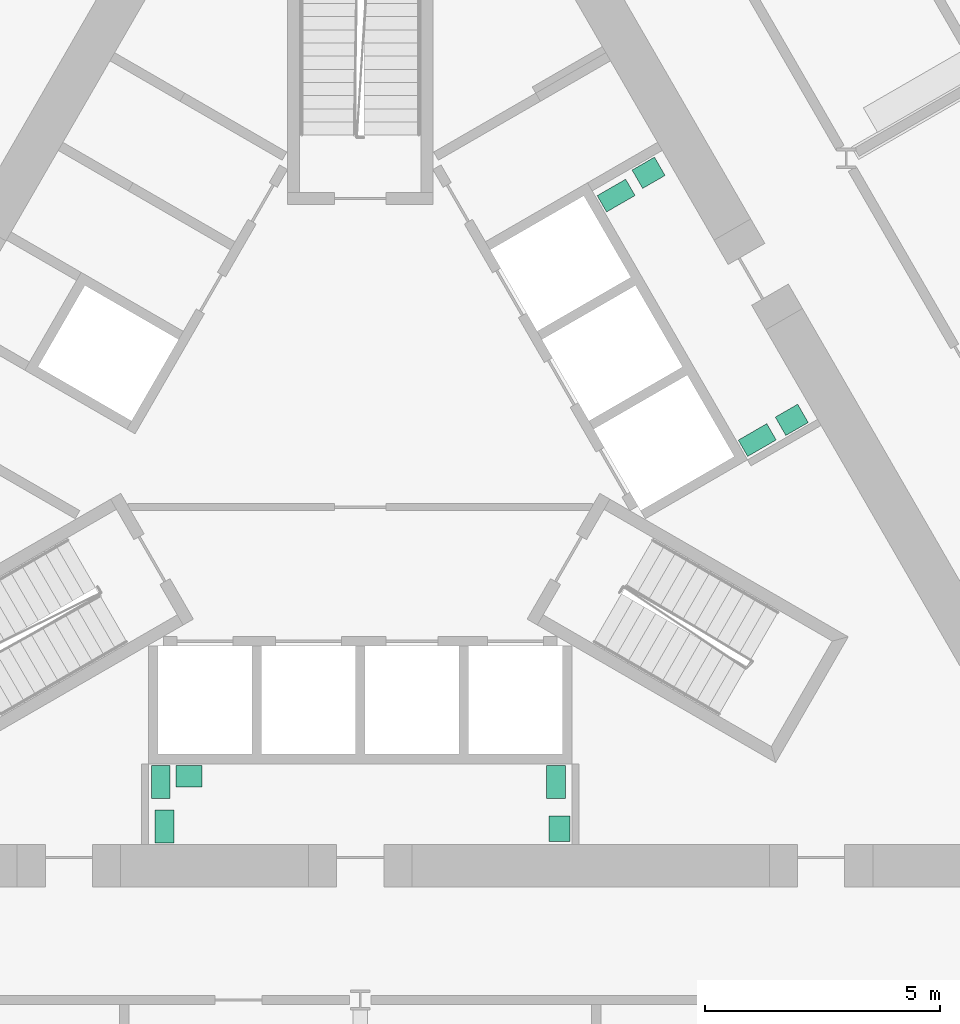
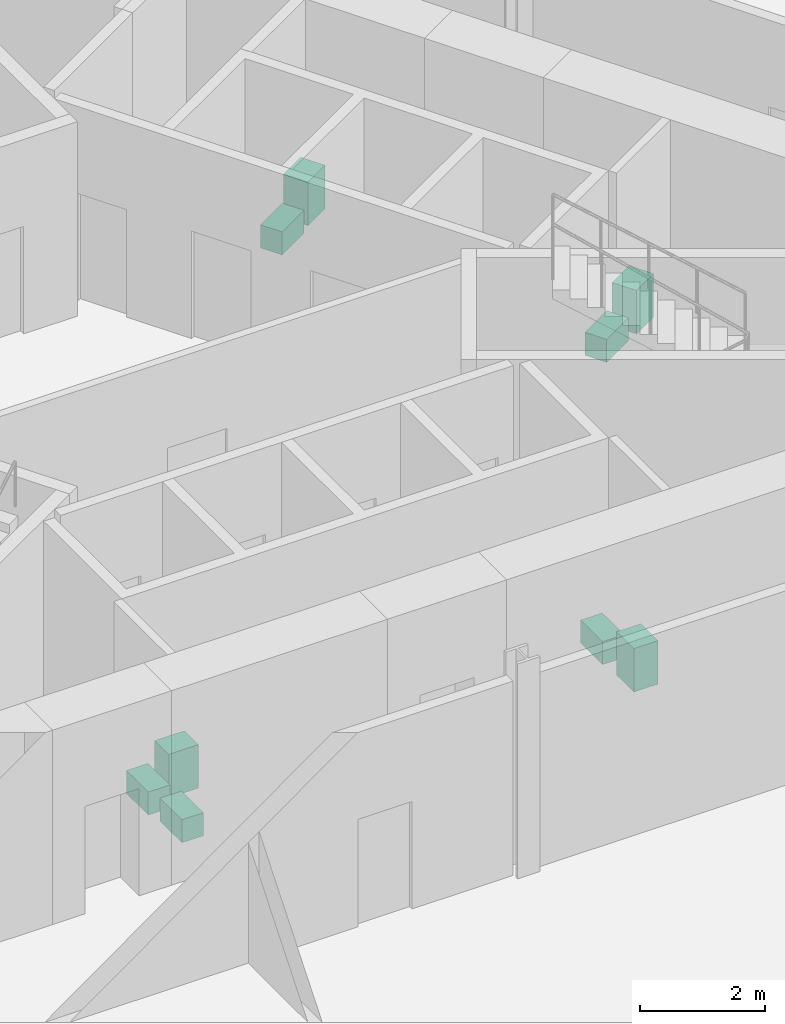
# One storey, part 20 of 21: 9 sanitary terminals.
"""IFC4 building model written with IfcOpenShell, lengths in metres."""

from ifc_helpers import new_model, si_unit, direction, frame, origin, origin_2d, place, context, subcontext, project, spatial, rectangle, extrude, material, type_object, element, save


model = new_model("IFC4")

# Units and contexts
model_context = context("Model", 3, precision=1e-05, world=origin(), true_north=direction((0.0, 1.0)))
body_context = subcontext(model_context, "Body", "Model", "MODEL_VIEW")
ifc_project = project(units=[si_unit("LENGTHUNIT", "METRE"), si_unit("AREAUNIT", "SQUARE_METRE"), si_unit("VOLUMEUNIT", "CUBIC_METRE"), si_unit("PLANEANGLEUNIT", "RADIAN"), si_unit("MASSUNIT", "GRAM", prefix="KILO")], contexts=[model_context])

# Site, building, storey
site_placement = place(None, origin())
site = spatial("IfcSite", under=ifc_project, at=site_placement, CompositionType="ELEMENT")
building_placement = place(site_placement, origin())
building = spatial("IfcBuilding", under=site, at=building_placement, Name="Cormorant Prow Tower", CompositionType="ELEMENT")
storey_placement = place(building_placement, frame((0.0, 0.0, 120.60009765625)))
storey = spatial("IfcBuildingStorey", under=building, at=storey_placement, Name="L25", CompositionType="ELEMENT", Elevation=120.60009765625)

# Sanitary terminals
ifc_material_1 = material(Name="Vitreous china")
sanitary_terminal_type_1 = type_object("IfcSanitaryTerminalType", Name="Wash basin 550x450", PredefinedType="WASHHANDBASIN", material=ifc_material_1)
for number, where, z_axis, x_axis, name in (
    (1, (4.235107421875, -8.286376953125, -0.000244140625), (0.0, 0.0, 1.0), (0.0, 1.0, 0.0), "Wash basin"),
    (2, (-3.639892578125, -7.1708984375, -0.000244140625), (0.0, 0.0, 1.0), (-1.0, 0.0, 0.0), "Wash basin"),
    (3, (6.128662109375, 5.6572265625, -0.000244140625), (0.0, 0.0, 1.0), (-0.866034130299, -0.499984884929, 0.0), "Wash basin"),
    (4, (9.172119140625, 0.405517578125, -0.000244140625), (0.0, 0.0, 1.0), (0.866034130299, 0.499984884929, 0.0), "Wash basin"),
):
    element("IfcSanitaryTerminal", number, at=place(storey_placement, frame(where, z_axis=z_axis, x_axis=x_axis)), inside=storey, type_object=sanitary_terminal_type_1, Name=name, PredefinedType="WASHHANDBASIN", context=body_context, shape_type="SweptSolid", body=[
        extrude(rectangle(XDim=0.550048828125, YDim=0.449951171875, at=origin_2d()), origin(), (0.0, 0.0, 1.0), 0.85009765625),
    ])
ifc_material_2 = material(Name="Vitreous china")
sanitary_terminal_type_2 = type_object("IfcSanitaryTerminalType", Name="Water closet 400x700", PredefinedType="WCSEAT", material=ifc_material_2)
for number, where, z_axis, x_axis, name in (
    (5, (-4.239990234375, -7.2958984375, 0.0), (0.0, 0.0, 1.0), (-1.0, 0.0, 0.0), "Water closet"),
    (6, (4.159912109375, -7.2958984375, 0.0), (0.0, 0.0, 1.0), (-1.0, 0.0, 0.0), "Water closet"),
    (7, (-4.159912109375, -8.236328125, 0.0), (0.0, 0.0, 1.0), (1.0, 0.0, 0.0), "Water closet"),
    (8, (8.4384765625, -0.02392578125, 0.0), (0.0, 0.0, 1.0), (0.5, -0.866025403784, 0.0), "Water closet"),
    (9, (5.4384765625, 5.172119140625, 0.0), (0.0, 0.0, 1.0), (0.5, -0.866025403784, 0.0), "Water closet"),
):
    element("IfcSanitaryTerminal", number, at=place(storey_placement, frame(where, z_axis=z_axis, x_axis=x_axis)), inside=storey, type_object=sanitary_terminal_type_2, Name=name, PredefinedType="WCSEAT", context=body_context, shape_type="SweptSolid", body=[
        extrude(rectangle(XDim=0.39990234375, YDim=0.699951171875, at=origin_2d()), origin(), (0.0, 0.0, 1.0), 0.449951171875),
    ])

save(model, "model.ifc")
